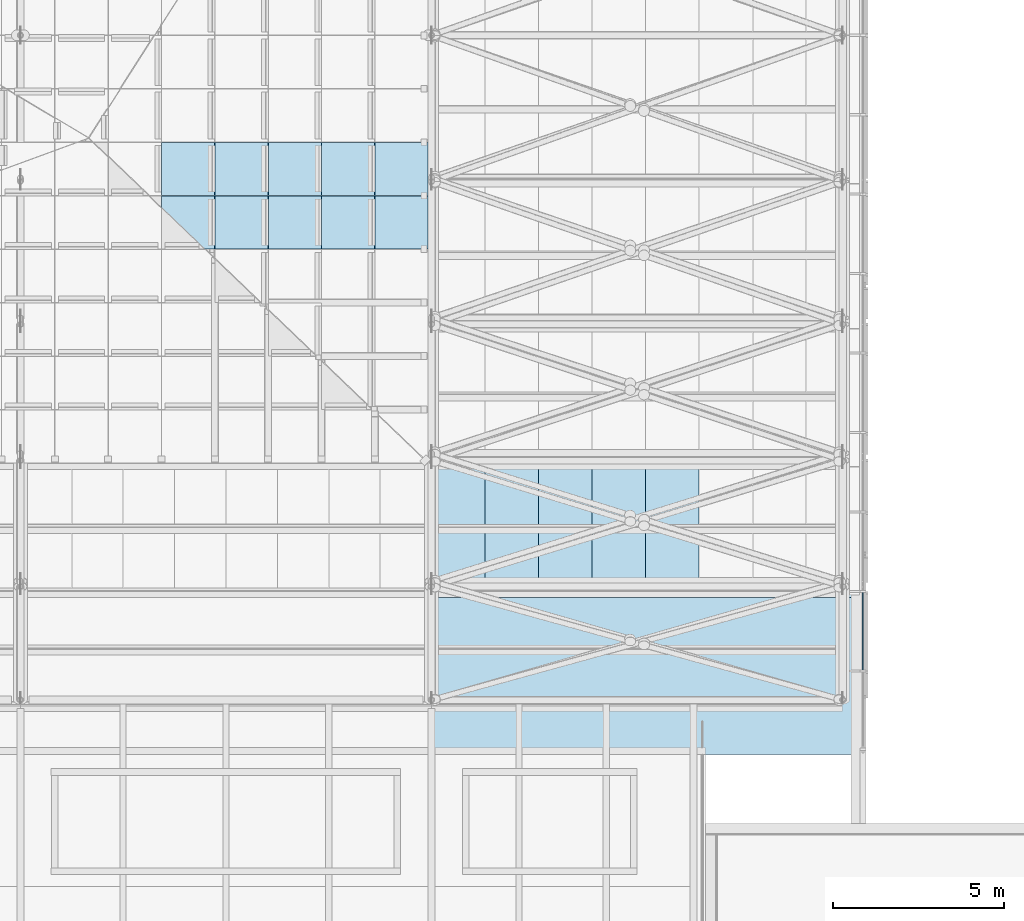
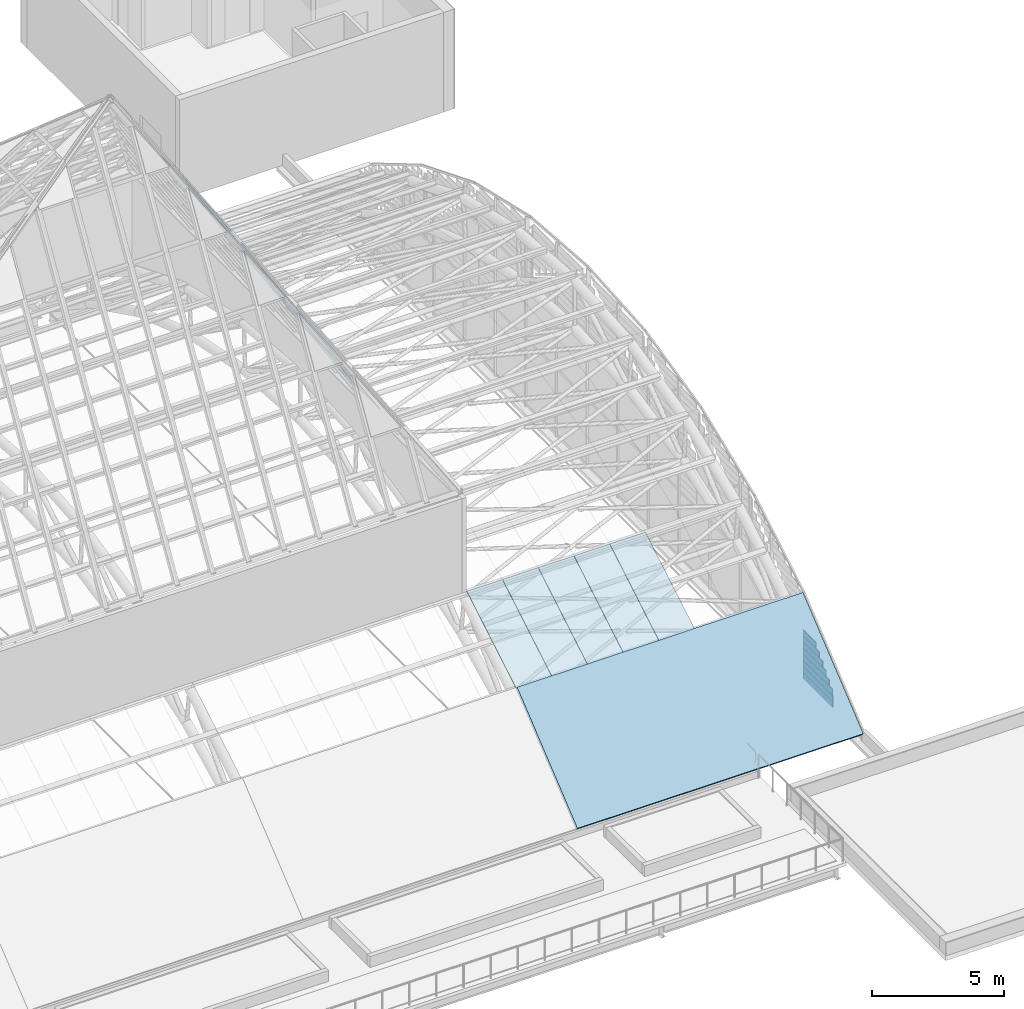
# One storey, part 61 of 110: 23 plates, 1 slab, 1 element without a shape of its own.
"""IFC4 building model written with IfcOpenShell, lengths in metres."""

from ifc_helpers import new_model, si_unit, direction, frame, origin, place, context, subcontext, project, spatial, polyline, outline, extrude, material, layer, layer_set, type_object, element, aggregate, save


model = new_model("IFC4")

# Units and contexts
model_context = context("Model", 3, precision=1e-05, world=origin(), true_north=direction((0.0, 1.0)))
body_context = subcontext(model_context, "Body", "Model", "MODEL_VIEW")
ifc_project = project(units=[si_unit("LENGTHUNIT", "METRE"), si_unit("AREAUNIT", "SQUARE_METRE"), si_unit("VOLUMEUNIT", "CUBIC_METRE"), si_unit("PLANEANGLEUNIT", "RADIAN"), si_unit("MASSUNIT", "GRAM", prefix="KILO")], contexts=[model_context])

# Site, building, storey
site_placement = place(None, origin())
site = spatial("IfcSite", under=ifc_project, at=site_placement, CompositionType="ELEMENT")
building_placement = place(site_placement, origin())
building = spatial("IfcBuilding", under=site, at=building_placement, Name="Windward Yard Aquatics Centre", CompositionType="ELEMENT")
storey_placement = place(building_placement, frame((0.0, 0.0, 22.60009765625)))
storey = spatial("IfcBuildingStorey", under=building, at=storey_placement, Name="L05", CompositionType="ELEMENT", Elevation=22.60009765625)

# Curtain wall, plates
ifc_material_1 = material(Name="Glass and aluminium curtain wall", Category="aluminium")
ifc_layer_1 = layer(ifc_material_1, 0.179931640625)
ifc_layer_set_1 = layer_set([ifc_layer_1], Name="H gable glazing system double glazed 8+16+8")
curtain_wall_type = type_object("IfcCurtainWallType", Name="H gable glazing system double glazed 8+16+8", PredefinedType="NOTDEFINED", material=ifc_layer_set_1)
curtain_wall_placement = place(storey_placement, origin())
curtain_wall = element("IfcCurtainWall", 1, at=curtain_wall_placement, inside=storey, type_object=curtain_wall_type, Name="Gable glazing E", PredefinedType="NOTDEFINED")
ifc_material_2 = material(Name="Low-iron glass", Category="glass")
ifc_layer_2 = layer(ifc_material_2, 0.008, Name="Outer pane")
ifc_material_3 = material(Name="Argon-filled cavity")
ifc_layer_3 = layer(ifc_material_3, 0.016, Name="Cavity")
ifc_layer_4 = layer(ifc_material_2, 0.008, Name="Inner pane")
ifc_layer_set_2 = layer_set([ifc_layer_2, ifc_layer_3, ifc_layer_4], Name="H gable glass low-e double glazed unit 32")
plate_type_1 = type_object("IfcPlateType", Name="H gable glass low-e double glazed unit 32", PredefinedType="CURTAIN_PANEL", material=ifc_layer_set_2)
plate_1_placement = place(storey_placement, frame((144.60595703125, 42.478515625, 0.099853515625), z_axis=(1.0, 0.0, 0.0), x_axis=(0.0, 1.0, 0.0)))
plate_1 = element("IfcPlate", 2, at=plate_1_placement, type_object=plate_type_1, Name="Gable panel 2.1a", PredefinedType="CURTAIN_PANEL", context=body_context, shape_type="SweptSolid", body=[
    extrude(outline(polyline([(0.0, 0.0), (2.254395, 0.0), (2.254395, 0.280029), (0.0, 0.280029), (0.0, 0.0)])), origin(), (0.0, 0.0, -1.0), 0.031982421875),
])
plate_2_placement = place(storey_placement, frame((144.60595703125, 42.478515625, 0.380126953125), z_axis=(1.0, 0.0, 0.0), x_axis=(0.0, 1.0, 0.0)))
plate_2 = element("IfcPlate", 3, at=plate_2_placement, type_object=plate_type_1, Name="Gable panel 2.1b", PredefinedType="CURTAIN_PANEL", context=body_context, shape_type="SweptSolid", body=[
    extrude(outline(polyline([(0.0, 0.0), (2.254395, 0.0), (2.254395, 0.279785), (0.0, 0.279785), (0.0, 0.0)])), origin(), (0.0, 0.0, -1.0), 0.031982421875),
])
plate_3_placement = place(storey_placement, frame((144.60595703125, 42.489990234375, 0.660400390625), z_axis=(1.0, 0.0, 0.0), x_axis=(0.0, 1.0, 0.0)))
plate_3 = element("IfcPlate", 4, at=plate_3_placement, type_object=plate_type_1, Name="Gable panel 2.1c", PredefinedType="CURTAIN_PANEL", context=body_context, shape_type="SweptSolid", body=[
    extrude(outline(polyline([(0.0, 0.0), (2.24292, 0.0), (2.24292, 0.279541), (0.0, 0.279541), (0.0, 0.0)])), origin(), (0.0, 0.0, -1.0), 0.031982421875),
])
plate_4_placement = place(storey_placement, frame((144.60595703125, 42.739013671875, 0.9404296875), z_axis=(1.0, 0.0, 0.0), x_axis=(0.0, 1.0, 0.0)))
plate_4 = element("IfcPlate", 5, at=plate_4_placement, type_object=plate_type_1, Name="Gable panel 2.1d", PredefinedType="CURTAIN_PANEL", context=body_context, shape_type="SweptSolid", body=[
    extrude(outline(polyline([(0.0, 0.0), (1.993896, 0.0), (1.993896, 0.279785), (0.0, 0.279785), (0.0, 0.0)])), origin(), (0.0, 0.0, -1.0), 0.031982421875),
])
plate_5_placement = place(storey_placement, frame((144.60595703125, 42.98828125, 1.220458984375), z_axis=(1.0, 0.0, 0.0), x_axis=(0.0, 1.0, 0.0)))
plate_5 = element("IfcPlate", 6, at=plate_5_placement, type_object=plate_type_1, Name="Gable panel 2.1e", PredefinedType="CURTAIN_PANEL", context=body_context, shape_type="SweptSolid", body=[
    extrude(outline(polyline([(0.0, 0.0), (1.744629, 0.0), (1.744629, 0.279785), (0.0, 0.279785), (0.0, 0.0)])), origin(), (0.0, 0.0, -1.0), 0.031982421875),
])
plate_6_placement = place(storey_placement, frame((144.60595703125, 43.237548828125, 1.500732421875), z_axis=(1.0, 0.0, 0.0), x_axis=(0.0, 1.0, 0.0)))
plate_6 = element("IfcPlate", 7, at=plate_6_placement, type_object=plate_type_1, Name="Gable panel 2.1f", PredefinedType="CURTAIN_PANEL", context=body_context, shape_type="SweptSolid", body=[
    extrude(outline(polyline([(0.0, 0.0), (1.495361, 0.0), (1.495361, 0.279541), (0.0, 0.279541), (0.0, 0.0)])), origin(), (0.0, 0.0, -1.0), 0.031982421875),
])
plate_7_placement = place(storey_placement, frame((144.60595703125, 43.486572265625, 1.78076171875), z_axis=(1.0, 0.0, 0.0), x_axis=(0.0, 1.0, 0.0)))
plate_7 = element("IfcPlate", 8, at=plate_7_placement, type_object=plate_type_1, Name="Gable panel 2.1g", PredefinedType="CURTAIN_PANEL", context=body_context, shape_type="SweptSolid", body=[
    extrude(outline(polyline([(0.0, 0.0), (1.246338, 0.0), (1.246338, 0.279785), (0.0, 0.279785), (0.0, 0.0)])), origin(), (0.0, 0.0, -1.0), 0.031982421875),
])
plate_8_placement = place(storey_placement, frame((144.60595703125, 43.73583984375, 2.060791015625), z_axis=(1.0, 0.0, 0.0), x_axis=(0.0, 1.0, 0.0)))
plate_8 = element("IfcPlate", 9, at=plate_8_placement, type_object=plate_type_1, Name="Gable panel 2.1h", PredefinedType="CURTAIN_PANEL", context=body_context, shape_type="SweptSolid", body=[
    extrude(outline(polyline([(0.0, 0.0), (0.99707, 0.0), (0.99707, 0.279785), (0.0, 0.279785), (0.0, 0.0)])), origin(), (0.0, 0.0, -1.0), 0.031982421875),
])
aggregate(curtain_wall, [plate_1, plate_2, plate_3, plate_4, plate_5, plate_6, plate_7, plate_8])

# Plates
ifc_material_4 = material(Name="Laminated low-e glass", Category="glass")
ifc_layer_5 = layer(ifc_material_4, 0.035888671875)
ifc_layer_set_3 = layer_set([ifc_layer_5], Name="H lantern glass laminated low-e 36")
plate_type_2 = type_object("IfcPlateType", Name="H lantern glass laminated low-e 36", PredefinedType="SHEET", material=ifc_layer_set_3)
for number, where, z_axis, x_axis, name in (
    (10, (130.347412109375, 56.320556640625, 13.4033203125), (0.850371202966, 0.0, 0.526183254357), (0.0, 1.0, 0.0), "H.LN.G.02.040"),
    (11, (128.791015625, 56.320556640625, 15.9189453125), (0.850371202966, 0.0, 0.526183254357), (0.0, 1.0, 0.0), "H.LN.G.02.041"),
    (12, (127.234375, 56.320556640625, 18.4345703125), (0.850371202966, 0.0, 0.526183254357), (0.0, 1.0, 0.0), "H.LN.G.02.042"),
):
    element("IfcPlate", number, at=place(storey_placement, frame(where, z_axis=z_axis, x_axis=x_axis)), inside=storey, type_object=plate_type_2, Name=name, PredefinedType="SHEET", context=body_context, shape_type="SweptSolid", body=[
        extrude(outline(polyline([(0.0, 0.0), (1.552979, 0.0), (1.552979, -2.943051), (0.0, -2.943051), (0.0, 0.0)])), origin(), (0.0, 0.0, -1.0), 0.035888671875),
    ])
plate_9_placement = place(storey_placement, frame((125.677978515625, 56.320556640625, 20.9501953125), z_axis=(0.850408320753, 0.0, 0.526123263118), x_axis=(0.0, 1.0, 0.0)))
element("IfcPlate", 13, at=plate_9_placement, inside=storey, type_object=plate_type_2, Name="H.LN.G.02.043", PredefinedType="SHEET", context=body_context, shape_type="SweptSolid", body=[
    extrude(outline(polyline([(0.0, 0.0), (1.552979, 0.0), (1.552979, -2.942922), (0.0, -2.942922), (0.0, 0.0)])), origin(), (0.0, 0.0, -1.0), 0.035888671875),
])
plate_10_placement = place(storey_placement, frame((124.121337890625, 56.320556640625, 23.4658203125), z_axis=(0.850371202966, 0.0, 0.526183254357), x_axis=(0.0, 1.0, 0.0)))
element("IfcPlate", 14, at=plate_10_placement, inside=storey, type_object=plate_type_2, Name="H.LN.G.02.044", PredefinedType="SHEET", context=body_context, shape_type="SweptSolid", body=[
    extrude(outline(polyline([(0.0, 0.0), (1.552979, 0.0), (1.552979, -2.943051), (0.0, -2.943051), (0.0, 0.0)])), origin(), (0.0, 0.0, -1.0), 0.035888671875),
])
for number, where, z_axis, x_axis, name in (
    (15, (130.347412109375, 54.75927734375, 13.4033203125), (0.850371202966, 0.0, 0.526183254357), (0.0, 1.0, 0.0), "H.LN.G.02.047"),
    (16, (128.791015625, 54.75927734375, 15.9189453125), (0.850371202966, 0.0, 0.526183254357), (0.0, 1.0, 0.0), "H.LN.G.02.048"),
    (17, (127.234375, 54.75927734375, 18.4345703125), (0.850371202966, 0.0, 0.526183254357), (0.0, 1.0, 0.0), "H.LN.G.02.049"),
):
    element("IfcPlate", number, at=place(storey_placement, frame(where, z_axis=z_axis, x_axis=x_axis)), inside=storey, type_object=plate_type_2, Name=name, PredefinedType="SHEET", context=body_context, shape_type="SweptSolid", body=[
        extrude(outline(polyline([(0.0, 0.0), (1.553223, 0.0), (1.553223, -2.943051), (0.0, -2.943051), (0.0, 0.0)])), origin(), (0.0, 0.0, -1.0), 0.035888671875),
    ])
plate_11_placement = place(storey_placement, frame((125.677978515625, 54.75927734375, 20.9501953125), z_axis=(0.850408320753, 0.0, 0.526123263118), x_axis=(0.0, 1.0, 0.0)))
element("IfcPlate", 18, at=plate_11_placement, inside=storey, type_object=plate_type_2, Name="H.LN.G.02.050", PredefinedType="SHEET", context=body_context, shape_type="SweptSolid", body=[
    extrude(outline(polyline([(0.0, 0.0), (1.553223, 0.0), (1.553223, -2.942922), (0.0, -2.942922), (0.0, 0.0)])), origin(), (0.0, 0.0, -1.0), 0.035888671875),
])
plate_12_placement = place(storey_placement, frame((124.121337890625, 55.97216796875, 23.4658203125), z_axis=(0.850375282364, 1.8812817e-05, 0.5261766612), x_axis=(-1.5997954e-05, 0.999999999823, -9.898865e-06)))
element("IfcPlate", 19, at=plate_12_placement, inside=storey, type_object=plate_type_2, Name="H.LN.G.02.051", PredefinedType="SHEET", context=body_context, shape_type="SweptSolid", body=[
    extrude(outline(polyline([(0.0, 0.0), (0.340332, 0.0), (0.340332, -2.943051), (-1.212891, -2.943051), (-1.212891, -2.404765), (0.0, 0.0)])), origin(), (0.0, 0.0, -1.0), 0.035888671875),
])

# Slab
ifc_material_5 = material(Name="Aluminium standing seam sheet", Category="aluminium")
ifc_layer_6 = layer(ifc_material_5, 0.001, Name="Roof covering")
ifc_material_6 = material(Name="Breather membrane")
ifc_layer_7 = layer(ifc_material_6, 0.002, Name="Underlay")
ifc_material_7 = material(Name="Mineral wool insulation")
ifc_layer_8 = layer(ifc_material_7, 0.1, Name="Insulation")
ifc_material_8 = material(Name="Vapour control layer")
ifc_layer_9 = layer(ifc_material_8, 0.001, Name="Vapour control")
ifc_material_9 = material(Name="Profiled galvanised steel deck", Category="steel")
ifc_layer_10 = layer(ifc_material_9, 0.046, Name="Deck")
ifc_layer_set_4 = layer_set([ifc_layer_6, ifc_layer_7, ifc_layer_8, ifc_layer_9, ifc_layer_10], Name="H standing seam roofing 150")
slab_type = type_object("IfcSlabType", Name="H standing seam roofing 150", PredefinedType="ROOF", material=ifc_layer_set_4)
slab_placement = place(storey_placement, frame((132.0, 26.0, 0.0), z_axis=(1.0, 0.0, 0.0), x_axis=(0.0, 1.0, 0.0)))
element("IfcSlab", 20, at=slab_placement, inside=storey, type_object=slab_type, Name="Roof covering bay 7", PredefinedType="ROOF", context=body_context, shape_type="SweptSolid", body=[
    extrude(outline(polyline([(14.107666015625, 0.300048828125), (18.67431640625, 4.050537109375), (18.588134765625, 4.173828125), (14.012451171875, 0.416015625), (14.107666015625, 0.300048828125)])), origin(), (0.0, 0.0, 1.0), 12.5),
])

# Plates
ifc_material_10 = material(Name="Translucent multiwall polycarbonate sheet")
ifc_layer_11 = layer(ifc_material_10, 0.031982421875)
ifc_layer_set_5 = layer_set([ifc_layer_11], Name="H translucent roof sheet multiwall polycarbonate 32")
plate_type_3 = type_object("IfcPlateType", Name="H translucent roof sheet multiwall polycarbonate 32", PredefinedType="SHEET", material=ifc_layer_set_5)
for number, where, z_axis, x_axis, name in (
    (21, (132.001953125, 26.0, 0.0), (1.0, 0.0, 0.0), (0.0, 1.0, 0.0), "Daylight roof sheet bay 7 facet 2 sheet 1"),
    (22, (133.564453125, 26.0, 0.0), (1.0, 0.0, 0.0), (0.0, 1.0, 0.0), "Daylight roof sheet bay 7 facet 2 sheet 2"),
    (23, (135.126953125, 26.0, 0.0), (1.0, 0.0, 0.0), (0.0, 1.0, 0.0), "Daylight roof sheet bay 7 facet 2 sheet 3"),
    (24, (136.689453125, 26.0, 0.0), (1.0, 0.0, 0.0), (0.0, 1.0, 0.0), "Daylight roof sheet bay 7 facet 2 sheet 4"),
    (25, (138.251953125, 26.0, 0.0), (1.0, 0.0, 0.0), (0.0, 1.0, 0.0), "Daylight roof sheet bay 7 facet 2 sheet 5"),
):
    element("IfcPlate", number, at=place(storey_placement, frame(where, z_axis=z_axis, x_axis=x_axis)), inside=storey, type_object=plate_type_3, Name=name, PredefinedType="SHEET", context=body_context, shape_type="SweptSolid", body=[
        extrude(outline(polyline([(18.67431640625, 4.050537109375), (22.41064453125, 6.2646484375), (22.396240234375, 6.29345703125), (18.656005859375, 4.076904296875), (18.67431640625, 4.050537109375)])), origin(), (0.0, 0.0, 1.0), 1.55859375),
    ])

save(model, "model.ifc")
